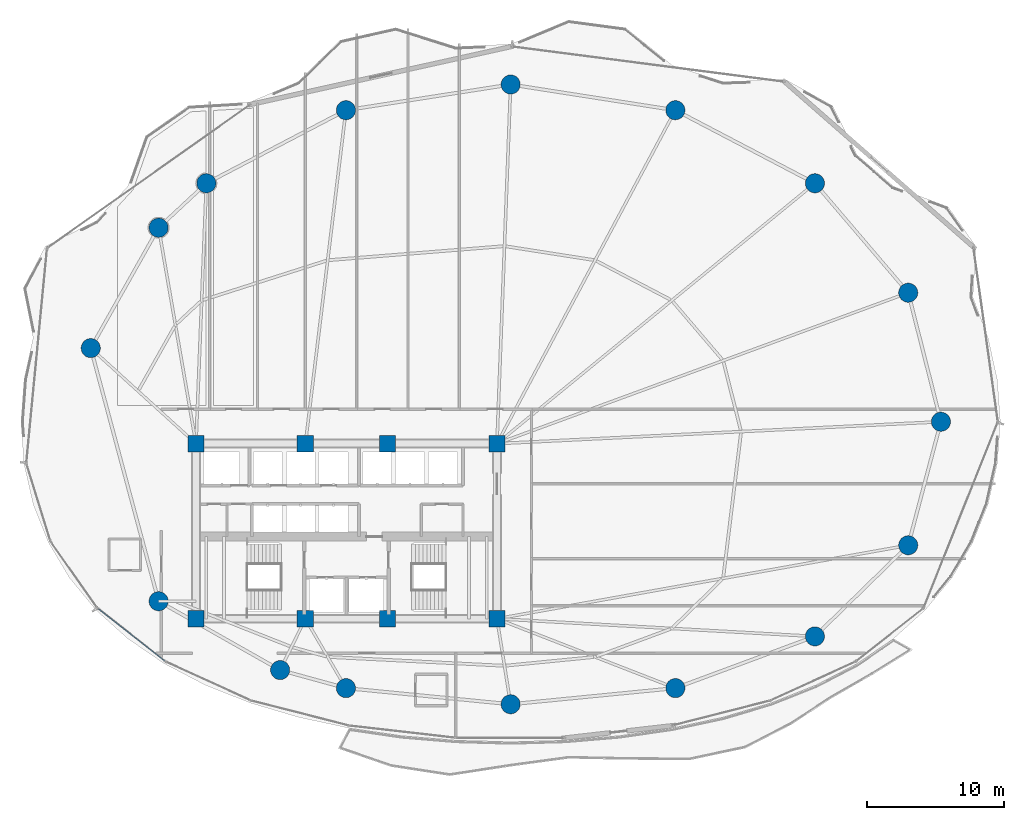
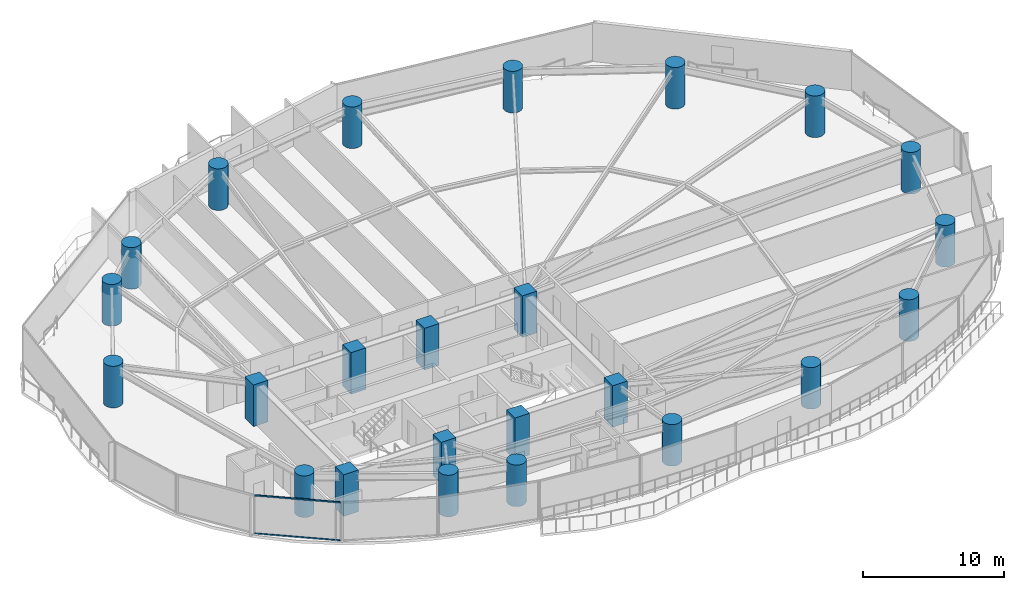
# One storey, part 1 of 31: 24 columns, 2 members, 1 element without a shape of its own.
"""IFC4 building model written with IfcOpenShell, lengths in metres."""

from ifc_helpers import new_model, si_unit, direction, frame, origin, origin_2d, place, context, subcontext, project, spatial, rectangle, hollow_rectangle, circle, extrude, material, layer, layer_set, material_profile, profile_set, type_object, element, aggregate, save


model = new_model("IFC4")

# Units and contexts
model_context = context("Model", 3, precision=1e-05, world=origin(), true_north=direction((0.0, 1.0)))
body_context = subcontext(model_context, "Body", "Model", "MODEL_VIEW")
ifc_project = project(units=[si_unit("LENGTHUNIT", "METRE"), si_unit("AREAUNIT", "SQUARE_METRE"), si_unit("VOLUMEUNIT", "CUBIC_METRE"), si_unit("PLANEANGLEUNIT", "RADIAN"), si_unit("MASSUNIT", "GRAM", prefix="KILO")], contexts=[model_context])

# Site, building, storey
site_placement = place(None, origin())
site = spatial("IfcSite", under=ifc_project, at=site_placement, CompositionType="ELEMENT")
building_placement = place(site_placement, origin())
building = spatial("IfcBuilding", under=site, at=building_placement, Name="Kazevale Care Tower and Concert Hall", CompositionType="ELEMENT")
storey_placement = place(building_placement, frame((0.0, 0.0, 60.0)))
storey = spatial("IfcBuildingStorey", under=building, at=storey_placement, Name="L15", CompositionType="ELEMENT", Elevation=60.0)

# Columns
ifc_material_1 = material(Name="Concrete C70", Category="concrete")
ifc_material_profile_1 = material_profile(ifc_material_1, rectangle(XDim=1.199951171875, YDim=1.199951171875, at=origin_2d()), Name="RC-SQ1200")
ifc_profile_set_1 = profile_set([ifc_material_profile_1], Name="Concrete C70")
column_type_1 = type_object("IfcColumnType", Name="Core Column SQ1200 C70", PredefinedType="COLUMN", material=ifc_profile_set_1)
for number, where, z_axis, x_axis, name in (
    (1, (22.0, 23.60009765625, 0.0), (0.0, 0.0, 1.0), (1.0, 0.0, 0.0), "col:L15:CC-01"),
    (2, (30.0, 23.60009765625, 0.0), (0.0, 0.0, 1.0), (1.0, 0.0, 0.0), "col:L15:CC-02"),
    (3, (36.0, 23.60009765625, 0.0), (0.0, 0.0, 1.0), (1.0, 0.0, 0.0), "col:L15:CC-03"),
    (4, (44.0, 23.60009765625, 0.0), (0.0, 0.0, 1.0), (1.0, 0.0, 0.0), "col:L15:CC-04"),
    (5, (44.0, 36.39990234375, 0.0), (0.0, 0.0, 1.0), (1.0, 0.0, 0.0), "col:L15:CC-05"),
    (6, (36.0, 36.39990234375, 0.0), (0.0, 0.0, 1.0), (1.0, 0.0, 0.0), "col:L15:CC-06"),
    (7, (30.0, 36.39990234375, 0.0), (0.0, 0.0, 1.0), (1.0, 0.0, 0.0), "col:L15:CC-07"),
    (8, (22.0, 36.39990234375, 0.0), (0.0, 0.0, 1.0), (1.0, 0.0, 0.0), "col:L15:CC-08"),
):
    element("IfcColumn", number, at=place(storey_placement, frame(where, z_axis=z_axis, x_axis=x_axis)), inside=storey, type_object=column_type_1, Name=name, PredefinedType="COLUMN", context=body_context, shape_type="SweptSolid", body=[
        extrude(rectangle(XDim=1.199951171875, YDim=1.199951171875, at=origin_2d()), origin(), (0.0, 0.0, 1.0), 3.60009765625),
    ])
ifc_material_profile_2 = material_profile(ifc_material_1, circle(Radius=0.699951171875, at=origin_2d()), Name="RC-CIR1400")
ifc_profile_set_2 = profile_set([ifc_material_profile_2], Name="Concrete C70")
column_type_2 = type_object("IfcColumnType", Name="Perimeter Column CIR1400 C70", PredefinedType="COLUMN", material=ifc_profile_set_2)
for number, where, z_axis, x_axis, name in (
    (9, (76.449951171875, 38.0, 0.0), (0.0, 0.0, 1.0), (1.0, 0.0, 0.0), "col:L15:PC-01"),
    (10, (74.06005859375, 47.429931640625, 0.0), (0.0, 0.0, 1.0), (1.0, 0.0, 0.0), "col:L15:PC-02"),
    (11, (67.239990234375, 55.429931640625, 0.0), (0.0, 0.0, 1.0), (1.0, 0.0, 0.0), "col:L15:PC-03"),
    (12, (57.0400390625, 60.77001953125, 0.0), (0.0, 0.0, 1.0), (1.0, 0.0, 0.0), "col:L15:PC-04"),
    (13, (45.0, 62.64990234375, 0.0), (0.0, 0.0, 1.0), (1.0, 0.0, 0.0), "col:L15:PC-05"),
    (14, (32.9599609375, 60.77001953125, 0.0), (0.0, 0.0, 1.0), (1.0, 0.0, 0.0), "col:L15:PC-06"),
    (15, (22.760009765625, 55.429931640625, 0.0), (0.0, 0.0, 1.0), (1.0, 0.0, 0.0), "col:L15:PC-07"),
    (16, (19.27001953125, 52.179931640625, 0.0), (0.0, 0.0, 1.0), (1.0, 0.0, 0.0), "col:L15:PC-08"),
    (17, (14.31005859375, 43.3798828125, 0.0), (0.0, 0.0, 1.0), (1.0, 0.0, 0.0), "col:L15:PC-09"),
    (18, (19.27001953125, 24.8798828125, 0.0), (0.0, 0.0, 1.0), (1.0, 0.0, 0.0), "col:L15:PC-10"),
    (19, (28.14990234375, 19.85009765625, 0.0), (0.0, 0.0, 1.0), (1.0, 0.0, 0.0), "col:L15:PC-11"),
    (20, (32.9599609375, 18.530029296875, 0.0), (0.0, 0.0, 1.0), (1.0, 0.0, 0.0), "col:L15:PC-12"),
    (21, (45.0, 17.35009765625, 0.0), (0.0, 0.0, 1.0), (1.0, 0.0, 0.0), "col:L15:PC-13"),
    (22, (57.0400390625, 18.530029296875, 0.0), (0.0, 0.0, 1.0), (1.0, 0.0, 0.0), "col:L15:PC-14"),
    (23, (67.239990234375, 22.31005859375, 0.0), (0.0, 0.0, 1.0), (1.0, 0.0, 0.0), "col:L15:PC-15"),
    (24, (74.06005859375, 28.969970703125, 0.0), (0.0, 0.0, 1.0), (1.0, 0.0, 0.0), "col:L15:PC-16"),
):
    element("IfcColumn", number, at=place(storey_placement, frame(where, z_axis=z_axis, x_axis=x_axis)), inside=storey, type_object=column_type_2, Name=name, PredefinedType="COLUMN", context=body_context, shape_type="SweptSolid", body=[
        extrude(circle(Radius=0.699951171875, at=origin_2d()), origin(), (0.0, 0.0, 1.0), 3.60009765625),
    ])

# Curtain wall, members
ifc_material_2 = material(Name="Aluminium 6063-T6 and Low-E Glass", Category="aluminium")
ifc_layer = layer(ifc_material_2, 0.179931640625)
ifc_layer_set = layer_set([ifc_layer], Name="Aluminium 6063-T6 and Low-E Glass")
curtain_wall_type = type_object("IfcCurtainWallType", Name="Sheltered Concave Balcony Curtain Wall CW-5", PredefinedType="NOTDEFINED", material=ifc_layer_set)
curtain_wall_placement = place(storey_placement, origin())
curtain_wall = element("IfcCurtainWall", 25, at=curtain_wall_placement, inside=storey, type_object=curtain_wall_type, Name="cw:L15:f10", PredefinedType="NOTDEFINED")
ifc_material_3 = material(Name="Aluminium 6063-T6", Category="aluminium")
ifc_material_profile_3 = material_profile(ifc_material_3, hollow_rectangle(XDim=0.074951171875, YDim=0.1201171875, WallThickness=0.00390625, at=origin_2d()), Name="ALU75x120x4")
ifc_profile_set_3 = profile_set([ifc_material_profile_3], Name="Aluminium 6063-T6")
member_type = type_object("IfcMemberType", Name="CW-5 Transom ALU75x120x4", PredefinedType="USERDEFINED", material=ifc_profile_set_3)
member_1_placement = place(storey_placement, frame((19.718994140625, 20.513427734375, 0.03759765625), z_axis=(-0.78633897536, 0.617795286344, 0.0), x_axis=(-0.617795286344, -0.78633897536, 0.0)))
member_1 = element("IfcMember", 26, at=member_1_placement, type_object=member_type, Name="CW-5 transom 1.1", ObjectType="TRANSOM", PredefinedType="USERDEFINED", context=body_context, shape_type="SweptSolid", body=[
    extrude(hollow_rectangle(XDim=0.074951171875, YDim=0.1201171875, WallThickness=0.00390625, at=origin_2d()), origin(), (0.0, 0.0, 1.0), 6.15771484375),
])
member_2_placement = place(storey_placement, frame((19.718994140625, 20.513427734375, 3.322509765625), z_axis=(-0.78633897536, 0.617795286344, 0.0), x_axis=(-0.617795286344, -0.78633897536, 0.0)))
member_2 = element("IfcMember", 27, at=member_2_placement, type_object=member_type, Name="CW-5 transom 1.2", ObjectType="TRANSOM", PredefinedType="USERDEFINED", context=body_context, shape_type="SweptSolid", body=[
    extrude(hollow_rectangle(XDim=0.074951171875, YDim=0.1201171875, WallThickness=0.00390625, at=origin_2d()), origin(), (0.0, 0.0, 1.0), 6.15771484375),
])
aggregate(curtain_wall, [member_1, member_2])

save(model, "model.ifc")
